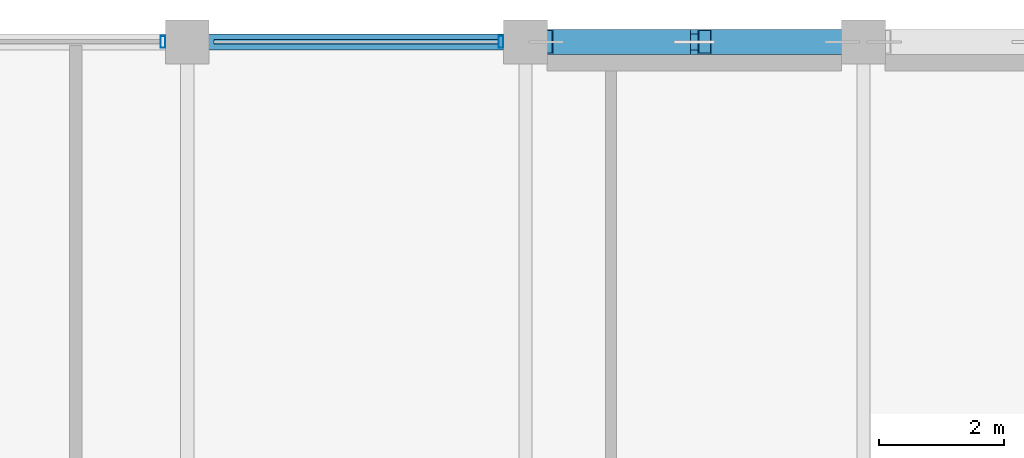
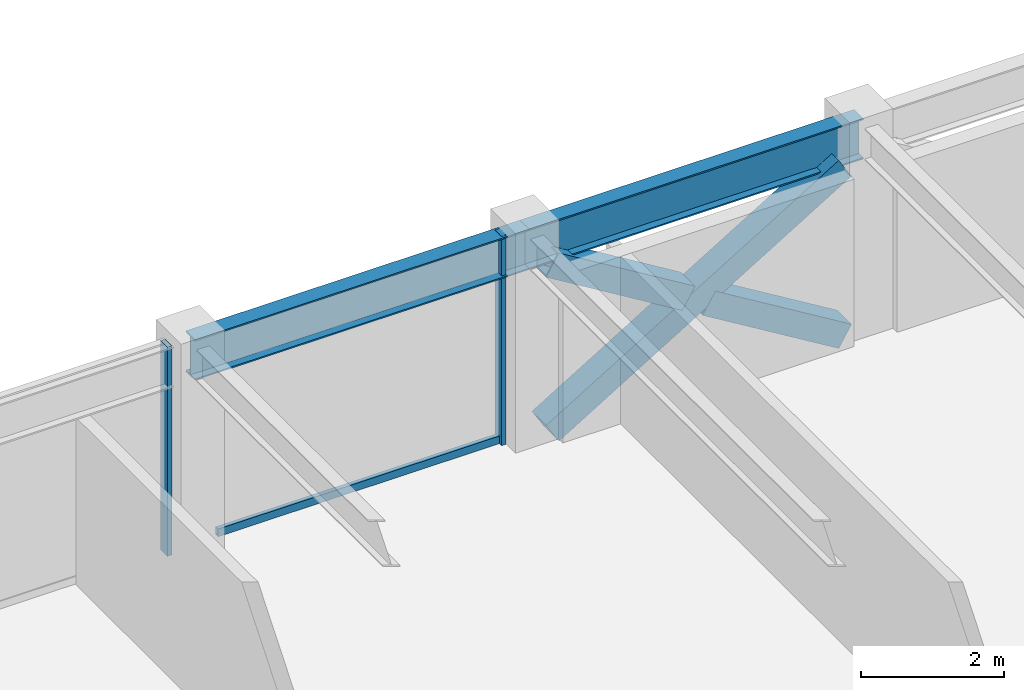
# One storey, part 17 of 31: 6 members, 2 beams, 1 element without a shape of its own.
"""IFC4 building model written with IfcOpenShell, lengths in metres."""

from ifc_helpers import new_model, si_unit, direction, frame, origin, origin_2d, place, context, subcontext, project, spatial, hollow_rectangle, i_section, extrude, material, layer, layer_set, material_profile, profile_set, type_object, element, aggregate, save


model = new_model("IFC4")

# Units and contexts
model_context = context("Model", 3, precision=1e-05, world=origin(), true_north=direction((0.0, 1.0)))
body_context = subcontext(model_context, "Body", "Model", "MODEL_VIEW")
ifc_project = project(units=[si_unit("LENGTHUNIT", "METRE"), si_unit("AREAUNIT", "SQUARE_METRE"), si_unit("VOLUMEUNIT", "CUBIC_METRE"), si_unit("PLANEANGLEUNIT", "RADIAN"), si_unit("MASSUNIT", "GRAM", prefix="KILO")], contexts=[model_context])

# Site, building, storey
site_placement = place(None, origin())
site = spatial("IfcSite", under=ifc_project, at=site_placement, CompositionType="ELEMENT")
building_placement = place(site_placement, origin())
building = spatial("IfcBuilding", under=site, at=building_placement, Name="Surkhivell Harbour Commons", CompositionType="ELEMENT")
storey_placement = place(building_placement, frame((0.0, 0.0, 262.5)))
storey = spatial("IfcBuildingStorey", under=building, at=storey_placement, Name="L68", CompositionType="ELEMENT", Elevation=262.5)

# Beams
ifc_material_1 = material(Name="Steel S355", Category="steel")
ifc_material_profile_1 = material_profile(ifc_material_1, i_section(OverallWidth=0.256103515625, OverallDepth=0.693115234375, WebThickness=0.014404296875, FlangeThickness=0.023681640625, at=origin_2d()), Name="UB686x254x170")
ifc_profile_set_1 = profile_set([ifc_material_profile_1], Name="Steel S355")
beam_type = type_object("IfcBeamType", Name="BM-SPN-686", PredefinedType="SPANDREL", material=ifc_profile_set_1)
beam_1_placement = place(storey_placement, frame((-10.800048828125, 25.89990234375, 3.223388671875), z_axis=(1.0, 0.0, 0.0), x_axis=(0.0, 1.0, 0.0)))
element("IfcBeam", 1, at=beam_1_placement, inside=storey, type_object=beam_type, Name="L68 Tube Spandrel (-10.8,25.9)", PredefinedType="SPANDREL", context=body_context, shape_type="SweptSolid", body=[
    extrude(i_section(OverallWidth=0.256103515625, OverallDepth=0.693115234375, WebThickness=0.014404296875, FlangeThickness=0.023681640625, at=origin_2d()), origin(), (0.0, 0.0, 1.0), 5.400146484375),
])
beam_2_placement = place(storey_placement, frame((-5.39990234375, 25.89990234375, 3.223388671875), z_axis=(1.0, 0.0, 0.0), x_axis=(0.0, 1.0, 0.0)))
element("IfcBeam", 2, at=beam_2_placement, inside=storey, type_object=beam_type, Name="L68 Tube Spandrel (-5.4,25.9)", PredefinedType="SPANDREL", context=body_context, shape_type="SweptSolid", body=[
    extrude(i_section(OverallWidth=0.256103515625, OverallDepth=0.693115234375, WebThickness=0.014404296875, FlangeThickness=0.023681640625, at=origin_2d()), origin(), (0.0, 0.0, 1.0), 5.39990234375),
])

# Curtain wall, members
ifc_material_2 = material(Name="Anodised pale-metal aluminium and insulated glazing", Category="aluminium")
ifc_layer = layer(ifc_material_2, 0.175048828125)
ifc_layer_set = layer_set([ifc_layer], Name="Anodised pale-metal aluminium and insulated glazing")
curtain_wall_type = type_object("IfcCurtainWallType", Name="CW-SYS-Z4", PredefinedType="NOTDEFINED", material=ifc_layer_set)
curtain_wall_placement = place(storey_placement, origin())
curtain_wall = element("IfcCurtainWall", 3, at=curtain_wall_placement, inside=storey, type_object=curtain_wall_type, Name="L68 Curtain Wall CW-L68-E07S2", PredefinedType="NOTDEFINED")
ifc_material_3 = material(Name="Anodised pale-metal aluminium alloy 6063-T6", Category="aluminium")
ifc_material_profile_2 = material_profile(ifc_material_3, hollow_rectangle(XDim=0.074951171875, YDim=0.18994140625, WallThickness=0.00390625, at=origin_2d()), Name="ALU-MULL-75x190")
ifc_profile_set_2 = profile_set([ifc_material_profile_2], Name="Anodised pale-metal aluminium alloy 6063-T6")
member_type_1 = type_object("IfcMemberType", Name="CWM-190", PredefinedType="MULLION", material=ifc_profile_set_2)
member_1_placement = place(storey_placement, frame((-5.78955078125, 25.89990234375, 0.0), z_axis=(0.0, 0.0, 1.0), x_axis=(-1.0, 0.0, 0.0)))
member_1 = element("IfcMember", 4, at=member_1_placement, type_object=member_type_1, Name="CW-Z4 mullion 1", PredefinedType="MULLION", context=body_context, shape_type="SweptSolid", body=[
    extrude(hollow_rectangle(XDim=0.074951171875, YDim=0.18994140625, WallThickness=0.00390625, at=origin_2d()), origin(), (0.0, 0.0, 1.0), 3.570068359375),
])
member_2_placement = place(storey_placement, frame((-11.189453125, 25.89990234375, 0.0), z_axis=(0.0, 0.0, 1.0), x_axis=(-1.0, 0.0, 0.0)))
member_2 = element("IfcMember", 5, at=member_2_placement, type_object=member_type_1, Name="CW-Z4 mullion 2", PredefinedType="MULLION", context=body_context, shape_type="SweptSolid", body=[
    extrude(hollow_rectangle(XDim=0.074951171875, YDim=0.18994140625, WallThickness=0.00390625, at=origin_2d()), origin(), (0.0, 0.0, 1.0), 3.570068359375),
])
ifc_material_4 = material(Name="Champagne anodised aluminium alloy 6063-T6", Category="aluminium")
ifc_material_profile_3 = material_profile(ifc_material_4, hollow_rectangle(XDim=0.070068359375, YDim=0.1298828125, WallThickness=0.00341796875, at=origin_2d()), Name="ALU-TRAN-70x130")
ifc_profile_set_3 = profile_set([ifc_material_profile_3], Name="Champagne anodised aluminium alloy 6063-T6")
member_type_2 = type_object("IfcMemberType", Name="CWT-130", PredefinedType="USERDEFINED", material=ifc_profile_set_3)
member_3_placement = place(storey_placement, frame((-5.826904296875, 25.89990234375, 0.06494140625), z_axis=(-1.0, 0.0, 0.0), x_axis=(0.0, -1.0, 0.0)))
member_3 = element("IfcMember", 6, at=member_3_placement, type_object=member_type_2, Name="CW-Z4 transom 1.1", ObjectType="TRANSOM", PredefinedType="USERDEFINED", context=body_context, shape_type="SweptSolid", body=[
    extrude(hollow_rectangle(XDim=0.070068359375, YDim=0.1298828125, WallThickness=0.00341796875, at=origin_2d()), origin(), (0.0, 0.0, 1.0), 4.546142578125),
])
aggregate(curtain_wall, [member_1, member_3, member_2])

# Members
ifc_material_5 = material(Name="Steel S460", Category="steel")
ifc_material_profile_4 = material_profile(ifc_material_5, hollow_rectangle(XDim=0.39990234375, YDim=0.39990234375, WallThickness=0.02001953125, at=origin_2d()), Name="SHS400x400x20")
ifc_profile_set_4 = profile_set([ifc_material_profile_4], Name="Steel S460")
member_type_3 = type_object("IfcMemberType", Name="MEM-BRC-SHS400", PredefinedType="BRACE", material=ifc_profile_set_4)
member_4_placement = place(storey_placement, frame((-5.06494140625, 25.89990234375, 0.008056640625), z_axis=(0.854685454322, 0.0, 0.519146197299), x_axis=(0.0, 1.0, 0.0)))
element("IfcMember", 7, at=member_4_placement, inside=storey, type_object=member_type_3, Name="L68 Perimeter Mega-Brace MB- 01", PredefinedType="BRACE", context=body_context, shape_type="SweptSolid", body=[
    extrude(hollow_rectangle(XDim=0.39990234375, YDim=0.39990234375, WallThickness=0.02001953125, at=origin_2d()), origin(), (0.0, 0.0, 1.0), 5.5341796875),
])
member_5_placement = place(storey_placement, frame((-0.3349609375, 25.89990234375, 0.008056640625), z_axis=(-0.854719912157, 0.0, 0.519089464122), x_axis=(0.0, -1.0, 0.0)))
element("IfcMember", 8, at=member_5_placement, inside=storey, type_object=member_type_3, Name="L68 Perimeter Mega-Brace MB- 02", PredefinedType="BRACE", context=body_context, shape_type="SweptSolid", body=[
    extrude(hollow_rectangle(XDim=0.39990234375, YDim=0.39990234375, WallThickness=0.02001953125, at=origin_2d()), origin(), (0.0, 0.0, 1.0), 2.574951171875),
])
member_6_placement = place(storey_placement, frame((-2.864013671875, 25.89990234375, 1.544189453125), z_axis=(-0.854677846108, 0.0, 0.519158722716), x_axis=(0.0, -1.0, 0.0)))
element("IfcMember", 9, at=member_6_placement, inside=storey, type_object=member_type_3, Name="L68 Perimeter Mega-Brace MB- 03", PredefinedType="BRACE", context=body_context, shape_type="SweptSolid", body=[
    extrude(hollow_rectangle(XDim=0.39990234375, YDim=0.39990234375, WallThickness=0.02001953125, at=origin_2d()), origin(), (0.0, 0.0, 1.0), 2.5751953125),
])

save(model, "model.ifc")
